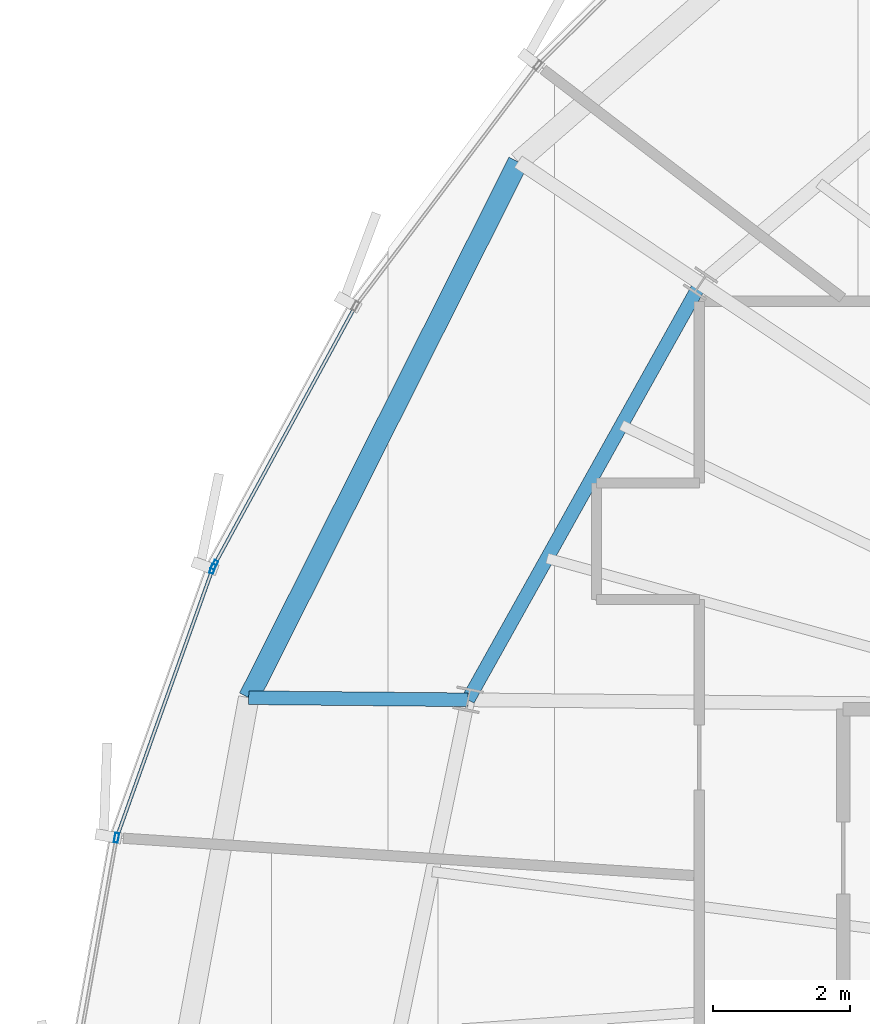
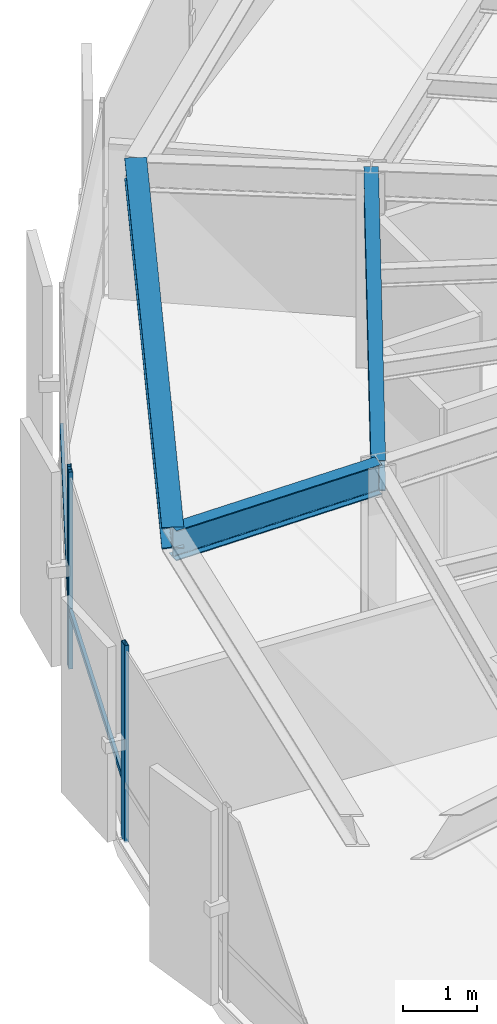
# One storey, part 12 of 36: 5 members, 3 beams, 2 elements without a shape of their own.
"""IFC4 building model written with IfcOpenShell, lengths in metres."""

from ifc_helpers import new_model, si_unit, direction, frame, origin, origin_2d, place, context, subcontext, project, spatial, hollow_rectangle, i_section, extrude, source, transform, mapped, material, layer, layer_set, material_profile, profile_set, type_object, element, aggregate, save


model = new_model("IFC4")

# Units and contexts
model_context = context("Model", 3, precision=1e-05, world=origin(), true_north=direction((0.0, 1.0)))
body_context = subcontext(model_context, "Body", "Model", "MODEL_VIEW")
ifc_project = project(units=[si_unit("LENGTHUNIT", "METRE"), si_unit("AREAUNIT", "SQUARE_METRE"), si_unit("VOLUMEUNIT", "CUBIC_METRE"), si_unit("PLANEANGLEUNIT", "RADIAN"), si_unit("MASSUNIT", "GRAM", prefix="KILO"), si_unit("THERMODYNAMICTEMPERATUREUNIT", "KELVIN")], contexts=[model_context])

# Site, building, storey
site_placement = place(None, origin())
site = spatial("IfcSite", under=ifc_project, at=site_placement, CompositionType="ELEMENT")
building_placement = place(site_placement, origin())
building = spatial("IfcBuilding", under=site, at=building_placement, Name="Kethvar Cultural Tower", CompositionType="ELEMENT")
storey_placement = place(building_placement, frame((0.0, 0.0, 197.39990234375)))
storey = spatial("IfcBuildingStorey", under=building, at=storey_placement, Name="L51", CompositionType="ELEMENT", Elevation=197.39990234375)

# Beams
ifc_material_1 = material(Name="Steel S355J2", Category="steel")
ifc_material_profile_1 = material_profile(ifc_material_1, i_section(OverallWidth=0.199951171875, OverallDepth=0.5, WebThickness=0.01025390625, FlangeThickness=0.01611328125, FilletRadius=0.02099609375, at=origin_2d()), Name="Steel S355J2 — IPE500")
ifc_profile_set_1 = profile_set([ifc_material_profile_1], Name="Steel S355J2 — IPE500")
beam_type_1 = type_object("IfcBeamType", Name="BM-IPE500", PredefinedType="BEAM", material=ifc_profile_set_1)
shared_shape_1 = source(origin(), body_context, "Body", "SweptSolid", [
    extrude(i_section(OverallWidth=0.199951171875, OverallDepth=0.5, WebThickness=0.01025390625, FlangeThickness=0.01611328125, FilletRadius=0.02099609375, at=origin_2d()), origin(), (0.0, 0.0, 1.0), 3.2001953125),
])
beam_1_placement = place(storey_placement, frame((29.02490234375, 31.335693359375, 3.008056640625), z_axis=(-0.999954526979, 0.009536455014, 0.0), x_axis=(-0.009536455014, -0.999954526979, 0.0)))
element("IfcBeam", 1, at=beam_1_placement, inside=storey, type_object=beam_type_1, Name="L51 Perimeter Cantilever Beam RC-08", PredefinedType="BEAM", context=body_context, shape_type="MappedRepresentation", body=[
    mapped(shared_shape_1, transform((0.0, 0.0, 0.0), scale=1.0)),
])
shared_shape_2 = source(origin(), body_context, "Body", "SweptSolid", [
    extrude(i_section(OverallWidth=0.199951171875, OverallDepth=0.5, WebThickness=0.01025390625, FlangeThickness=0.01611328125, FilletRadius=0.02099609375, at=origin_2d()), origin(), (0.0, 0.0, 1.0), 6.957275390625),
])
beam_2_placement = place(storey_placement, frame((32.418212890625, 37.409423828125, 3.008056640625), z_axis=(-0.487730122968, -0.872994459976, 0.0), x_axis=(0.872994459976, -0.487730122968, 0.0)))
element("IfcBeam", 2, at=beam_2_placement, inside=storey, type_object=beam_type_1, Name="L51 Column Ring Tie Beam CR-07", PredefinedType="BEAM", context=body_context, shape_type="MappedRepresentation", body=[
    mapped(shared_shape_2, transform((0.0, 0.0, 0.0), scale=1.0)),
])
ifc_material_profile_2 = material_profile(ifc_material_1, i_section(OverallWidth=0.300048828125, OverallDepth=0.360107421875, WebThickness=0.012451171875, FlangeThickness=0.0224609375, FilletRadius=0.027099609375, at=origin_2d()), Name="Steel S355J2 — HEB360")
ifc_profile_set_2 = profile_set([ifc_material_profile_2], Name="Steel S355J2 — HEB360")
beam_type_2 = type_object("IfcBeamType", Name="BM-SP360", PredefinedType="SPANDREL", material=ifc_profile_set_2)
shared_shape_3 = source(origin(), body_context, "Body", "SweptSolid", [
    extrude(i_section(OverallWidth=0.300048828125, OverallDepth=0.360107421875, WebThickness=0.012451171875, FlangeThickness=0.0224609375, FilletRadius=0.027099609375, at=origin_2d()), origin(), (0.0, 0.0, 1.0), 8.754150390625),
])
beam_3_placement = place(storey_placement, frame((29.757568359375, 39.187255859375, 3.078125), z_axis=(-0.449231599727, -0.893415340033, 0.0), x_axis=(0.893415340033, -0.449231599727, 0.0)))
element("IfcBeam", 3, at=beam_3_placement, inside=storey, type_object=beam_type_2, Name="L51 Perimeter Spandrel Beam SP-07", PredefinedType="SPANDREL", context=body_context, shape_type="MappedRepresentation", body=[
    mapped(shared_shape_3, transform((0.0, 0.0, 0.0), scale=1.0)),
])

# Curtain wall, member
ifc_material_2 = material(Name="Aluminium 6063-T6", Category="aluminium")
ifc_layer = layer(ifc_material_2, 0.179931640625, Name="Aluminium 6063-T6", Category="aluminium")
ifc_layer_set = layer_set([ifc_layer], Name="Aluminium 6063-T6 (180 mm)")
curtain_wall_type = type_object("IfcCurtainWallType", Name="CW-SYS-04-Z34", PredefinedType="NOTDEFINED", material=ifc_layer_set)
curtain_wall_1_placement = place(storey_placement, origin())
curtain_wall_1 = element("IfcCurtainWall", 4, at=curtain_wall_1_placement, inside=storey, type_object=curtain_wall_type, Name="L51 Curtain Wall Run 02", PredefinedType="NOTDEFINED")
ifc_material_profile_3 = material_profile(ifc_material_2, hollow_rectangle(XDim=0.06005859375, YDim=0.139892578125, WallThickness=0.0048828125, at=origin_2d()), Name="Aluminium 6063-T6 — RHS140x60x5")
ifc_profile_set_3 = profile_set([ifc_material_profile_3], Name="Aluminium 6063-T6 — RHS140x60x5")
member_type_1 = type_object("IfcMemberType", Name="CW-SYS-04-Z34-MUL", PredefinedType="MULLION", material=ifc_profile_set_3)
shared_shape_4 = source(origin(), body_context, "Body", "SweptSolid", [
    extrude(hollow_rectangle(XDim=0.06005859375, YDim=0.139892578125, WallThickness=0.0048828125, at=origin_2d()), origin(), (0.0, 0.0, 1.0), 3.260009765625),
])
member_1_placement = place(storey_placement, frame((25.323486328125, 33.302978515625, 0.0), z_axis=(0.0, 0.0, 1.0), x_axis=(0.878141667382, -0.478400681446, 0.0)))
member_1 = element("IfcMember", 5, at=member_1_placement, type_object=member_type_1, Name="CW-L51-R02 Mullion 7", PredefinedType="MULLION", context=body_context, shape_type="MappedRepresentation", body=[
    mapped(shared_shape_4, transform((0.0, 0.0, 0.0), scale=1.0)),
])

# Curtain wall, members
curtain_wall_2_placement = place(storey_placement, origin())
curtain_wall_2 = element("IfcCurtainWall", 6, at=curtain_wall_2_placement, inside=storey, type_object=curtain_wall_type, Name="L51 Curtain Wall Run 03", PredefinedType="NOTDEFINED")
member_2_placement = place(storey_placement, frame((25.298583984375, 33.24755859375, 0.0), z_axis=(0.0, 0.0, 1.0), x_axis=(0.941805433932, -0.336158481399, 0.0)))
member_2 = element("IfcMember", 7, at=member_2_placement, type_object=member_type_1, Name="CW-L51-R03 Mullion 1", PredefinedType="MULLION", context=body_context, shape_type="MappedRepresentation", body=[
    mapped(shared_shape_4, transform((0.0, 0.0, 0.0), scale=1.0)),
])
member_3_placement = place(storey_placement, frame((23.89599609375, 29.322265625, 0.0), z_axis=(0.0, 0.0, 1.0), x_axis=(0.984334386434, -0.176311700359, 0.0)))
member_3 = element("IfcMember", 8, at=member_3_placement, type_object=member_type_1, Name="CW-L51-R03 Mullion 2", PredefinedType="MULLION", context=body_context, shape_type="MappedRepresentation", body=[
    mapped(shared_shape_4, transform((0.0, 0.0, 0.0), scale=1.0)),
])

# Member
ifc_material_profile_4 = material_profile(ifc_material_2, hollow_rectangle(XDim=0.050048828125, YDim=0.10009765625, WallThickness=0.00390625, at=origin_2d()), Name="Aluminium 6063-T6 — RHS100x50x4")
ifc_profile_set_4 = profile_set([ifc_material_profile_4], Name="Aluminium 6063-T6 — RHS100x50x4")
member_type_2 = type_object("IfcMemberType", Name="CW-SYS-04-Z34-TRN", PredefinedType="USERDEFINED", material=ifc_profile_set_4)
shared_shape_5 = source(origin(), body_context, "Body", "SweptSolid", [
    extrude(hollow_rectangle(XDim=0.050048828125, YDim=0.10009765625, WallThickness=0.00390625, at=origin_2d()), origin(), (0.0, 0.0, 1.0), 4.254150390625),
])
member_4_placement = place(storey_placement, frame((27.360595703125, 37.04248046875, 0.9501953125), z_axis=(-0.478385649226, -0.878149856582, 0.0), x_axis=(0.878149856582, -0.478385649226, 0.0)))
member_4 = element("IfcMember", 9, at=member_4_placement, type_object=member_type_2, Name="CW-L51-R02 Transom 6", ObjectType="TRANSOM", PredefinedType="USERDEFINED", context=body_context, shape_type="MappedRepresentation", body=[
    mapped(shared_shape_5, transform((0.0, 0.0, 0.0), scale=1.0)),
])

aggregate(curtain_wall_1, [member_1, member_4])

shared_shape_6 = source(origin(), body_context, "Body", "SweptSolid", [
    extrude(hollow_rectangle(XDim=0.050048828125, YDim=0.10009765625, WallThickness=0.00390625, at=origin_2d()), origin(), (0.0, 0.0, 1.0), 4.139404296875),
])
member_5_placement = place(storey_placement, frame((25.297119140625, 33.24365234375, 0.9501953125), z_axis=(-0.336134625076, -0.941813948625, 0.0), x_axis=(0.941813948625, -0.336134625076, 0.0)))
member_5 = element("IfcMember", 10, at=member_5_placement, type_object=member_type_2, Name="CW-L51-R03 Transom 1", ObjectType="TRANSOM", PredefinedType="USERDEFINED", context=body_context, shape_type="MappedRepresentation", body=[
    mapped(shared_shape_6, transform((0.0, 0.0, 0.0), scale=1.0)),
])

aggregate(curtain_wall_2, [member_2, member_3, member_5])

save(model, "model.ifc")
